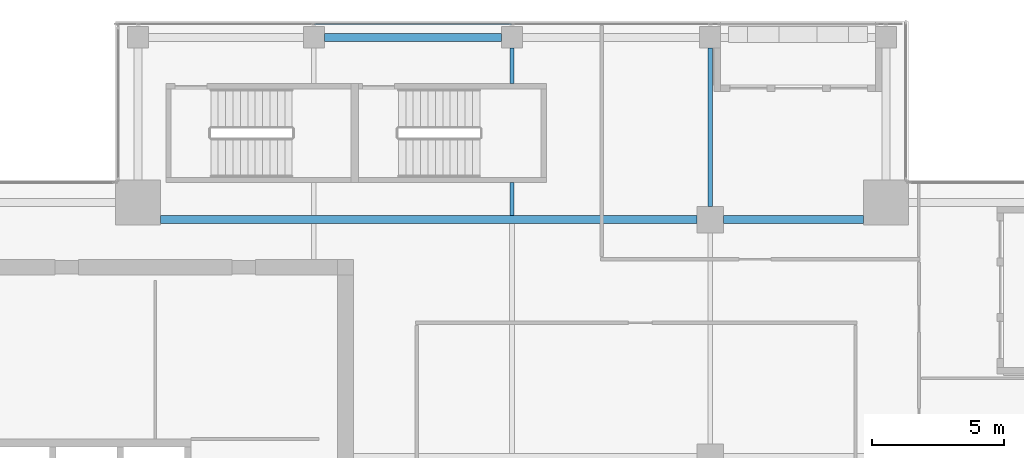
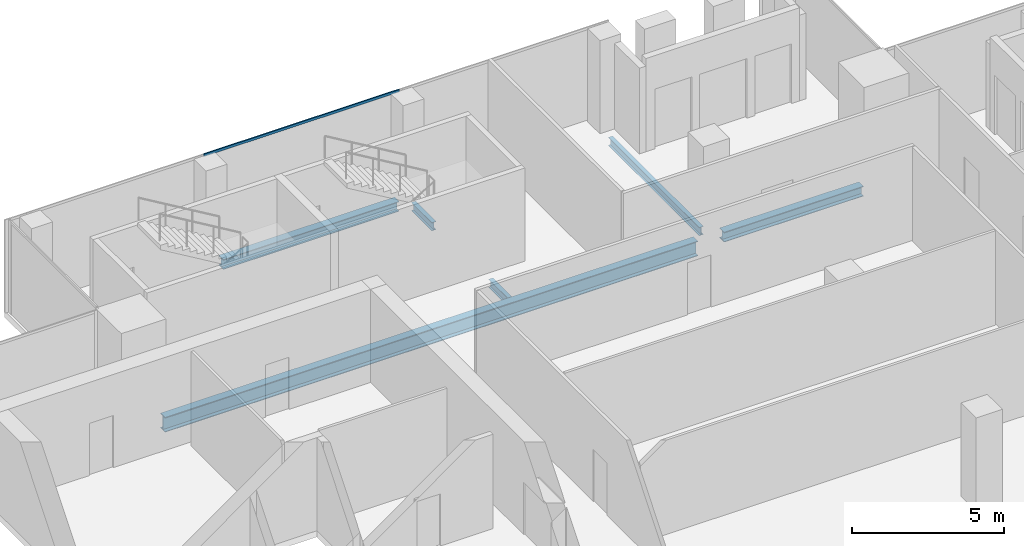
# One storey, part 16 of 29: 6 beams, 1 member, 1 element without a shape of its own.
"""IFC4 building model written with IfcOpenShell, lengths in metres."""

from ifc_helpers import new_model, si_unit, direction, frame, origin, origin_2d, place, context, subcontext, project, spatial, hollow_rectangle, i_section, extrude, source, transform, mapped, material, material_profile, profile_set, type_object, element, aggregate, save


model = new_model("IFC4")

# Units and contexts
model_context = context("Model", 3, precision=1e-05, world=origin(), true_north=direction((0.0, 1.0)))
body_context = subcontext(model_context, "Body", "Model", "MODEL_VIEW")
ifc_project = project(units=[si_unit("LENGTHUNIT", "METRE"), si_unit("AREAUNIT", "SQUARE_METRE"), si_unit("VOLUMEUNIT", "CUBIC_METRE"), si_unit("PLANEANGLEUNIT", "RADIAN"), si_unit("MASSUNIT", "GRAM", prefix="KILO")], contexts=[model_context])

# Site, building, storey
site_placement = place(None, origin())
site = spatial("IfcSite", under=ifc_project, at=site_placement, CompositionType="ELEMENT")
building_placement = place(site_placement, origin())
building = spatial("IfcBuilding", under=site, at=building_placement, Name="Khomas Fold Tower", CompositionType="ELEMENT")
storey_placement = place(building_placement, frame((0.0, 0.0, 310.199951171875)))
storey = spatial("IfcBuildingStorey", under=building, at=storey_placement, Name="L70", CompositionType="ELEMENT", Elevation=310.199951171875)

# Beams
ifc_material_1 = material(Name="Steel S355", Category="steel")
ifc_material_profile_1 = material_profile(ifc_material_1, i_section(OverallWidth=0.159912109375, OverallDepth=0.330078125, WebThickness=0.007568359375, FlangeThickness=0.011474609375, at=origin_2d()), Name="IPE 330")
ifc_profile_set_1 = profile_set([ifc_material_profile_1], Name="Steel S355")
beam_type_1 = type_object("IfcBeamType", Name="IPE 330 beam JB1", PredefinedType="BEAM", material=ifc_profile_set_1)
shared_shape_1 = source(origin(), body_context, "Body", "SweptSolid", [
    extrude(i_section(OverallWidth=0.159912109375, OverallDepth=0.330078125, WebThickness=0.007568359375, FlangeThickness=0.011474609375, at=origin_2d()), origin(), (0.0, 0.0, 1.0), 1.25),
])
beam_1_placement = place(storey_placement, frame((27.0, 40.64990234375, -0.4150390625), z_axis=(0.0, 1.0, 0.0), x_axis=(-1.0, 0.0, 0.0)))
element("IfcBeam", 1, at=beam_1_placement, inside=storey, type_object=beam_type_1, Name="JB1", PredefinedType="BEAM", context=body_context, shape_type="MappedRepresentation", body=[
    mapped(shared_shape_1, transform((0.0, 0.0, 0.0))),
])
shared_shape_2 = source(origin(), body_context, "Body", "SweptSolid", [
    extrude(i_section(OverallWidth=0.159912109375, OverallDepth=0.330078125, WebThickness=0.007568359375, FlangeThickness=0.011474609375, at=origin_2d()), origin(), (0.0, 0.0, 1.0), 1.35009765625),
])
beam_2_placement = place(storey_placement, frame((27.0, 45.64990234375, -0.4150390625), z_axis=(0.0, 1.0, 0.0), x_axis=(-1.0, 0.0, 0.0)))
element("IfcBeam", 2, at=beam_2_placement, inside=storey, type_object=beam_type_1, Name="JB1", PredefinedType="BEAM", context=body_context, shape_type="MappedRepresentation", body=[
    mapped(shared_shape_2, transform((0.0, 0.0, 0.0))),
])
ifc_material_2 = material(Name="Steel S355", Category="steel")
ifc_material_profile_2 = material_profile(ifc_material_2, i_section(OverallWidth=0.300048828125, OverallDepth=0.39990234375, WebThickness=0.013427734375, FlangeThickness=0.02392578125, at=origin_2d()), Name="HE 400 B")
ifc_profile_set_2 = profile_set([ifc_material_profile_2], Name="Steel S355")
beam_type_2 = type_object("IfcBeamType", Name="HE 400 B spandrel SB5", PredefinedType="SPANDREL", material=ifc_profile_set_2)
shared_shape_3 = source(origin(), body_context, "Body", "SweptSolid", [
    extrude(i_section(OverallWidth=0.300048828125, OverallDepth=0.39990234375, WebThickness=0.013427734375, FlangeThickness=0.02392578125, at=origin_2d()), origin(), (0.0, 0.0, 1.0), 6.7001953125),
])
beam_3_placement = place(storey_placement, frame((19.89990234375, 47.39990234375, -0.449951171875), z_axis=(1.0, 0.0, 0.0), x_axis=(0.0, 1.0, 0.0)))
element("IfcBeam", 3, at=beam_3_placement, inside=storey, type_object=beam_type_2, Name="SB5", PredefinedType="SPANDREL", context=body_context, shape_type="MappedRepresentation", body=[
    mapped(shared_shape_3, transform((0.0, 0.0, 0.0))),
])
ifc_material_3 = material(Name="Steel S355", Category="steel")
ifc_material_profile_3 = material_profile(ifc_material_3, i_section(OverallWidth=0.300048828125, OverallDepth=0.60009765625, WebThickness=0.015380859375, FlangeThickness=0.030029296875, at=origin_2d()), Name="HE 600 B")
ifc_profile_set_3 = profile_set([ifc_material_profile_3], Name="Steel S355")
beam_type_3 = type_object("IfcBeamType", Name="HE 600 B beam GB5", PredefinedType="BEAM", material=ifc_profile_set_3)
shared_shape_4 = source(origin(), body_context, "Body", "SweptSolid", [
    extrude(i_section(OverallWidth=0.300048828125, OverallDepth=0.60009765625, WebThickness=0.015380859375, FlangeThickness=0.030029296875, at=origin_2d()), origin(), (0.0, 0.0, 1.0), 20.300048828125),
])
beam_4_placement = place(storey_placement, frame((13.699951171875, 40.5, -0.550048828125), z_axis=(1.0, 0.0, 0.0), x_axis=(0.0, 1.0, 0.0)))
element("IfcBeam", 4, at=beam_4_placement, inside=storey, type_object=beam_type_3, Name="GB5", PredefinedType="BEAM", context=body_context, shape_type="MappedRepresentation", body=[
    mapped(shared_shape_4, transform((0.0, 0.0, 0.0))),
])
ifc_material_4 = material(Name="Steel S355", Category="steel")
ifc_material_profile_4 = material_profile(ifc_material_4, i_section(OverallWidth=0.300048828125, OverallDepth=0.39990234375, WebThickness=0.013427734375, FlangeThickness=0.02392578125, at=origin_2d()), Name="HE 400 B")
ifc_profile_set_4 = profile_set([ifc_material_profile_4], Name="Steel S355")
beam_type_4 = type_object("IfcBeamType", Name="HE 400 B beam GB1", PredefinedType="BEAM", material=ifc_profile_set_4)
shared_shape_5 = source(origin(), body_context, "Body", "SweptSolid", [
    extrude(i_section(OverallWidth=0.300048828125, OverallDepth=0.39990234375, WebThickness=0.013427734375, FlangeThickness=0.02392578125, at=origin_2d()), origin(), (0.0, 0.0, 1.0), 5.300048828125),
])
beam_5_placement = place(storey_placement, frame((35.0, 40.5, -0.449951171875), z_axis=(1.0, 0.0, 0.0), x_axis=(0.0, 1.0, 0.0)))
element("IfcBeam", 5, at=beam_5_placement, inside=storey, type_object=beam_type_4, Name="GB1", PredefinedType="BEAM", context=body_context, shape_type="MappedRepresentation", body=[
    mapped(shared_shape_5, transform((0.0, 0.0, 0.0))),
])
shared_shape_6 = source(origin(), body_context, "Body", "SweptSolid", [
    extrude(i_section(OverallWidth=0.159912109375, OverallDepth=0.330078125, WebThickness=0.007568359375, FlangeThickness=0.011474609375, at=origin_2d()), origin(), (0.0, 0.0, 1.0), 6.0),
])
beam_6_placement = place(storey_placement, frame((34.5, 41.0, -0.4150390625), z_axis=(0.0, 1.0, 0.0), x_axis=(-1.0, 0.0, 0.0)))
element("IfcBeam", 6, at=beam_6_placement, inside=storey, type_object=beam_type_1, Name="JB1", PredefinedType="BEAM", context=body_context, shape_type="MappedRepresentation", body=[
    mapped(shared_shape_6, transform((0.0, 0.0, 0.0))),
])

# Curtain wall, member
ifc_material_5 = material(Name="Aluminium framed double glazing", Category="aluminium")
curtain_wall_type = type_object("IfcCurtainWallType", Name="SK-Unitised clear-glass wall, upper floors CW3", PredefinedType="NOTDEFINED", material=ifc_material_5)
curtain_wall_placement = place(storey_placement, origin())
curtain_wall = element("IfcCurtainWall", 7, at=curtain_wall_placement, inside=storey, type_object=curtain_wall_type, Name="CW3 run L70 06-1", PredefinedType="NOTDEFINED")
ifc_material_6 = material(Name="Aluminium", Category="aluminium")
ifc_material_profile_5 = material_profile(ifc_material_6, hollow_rectangle(XDim=0.050048828125, YDim=0.10009765625, WallThickness=0.00390625, at=origin_2d()), Name="SK-Unitised clear-glass wall, upper floors transom CW3-T")
ifc_profile_set_5 = profile_set([ifc_material_profile_5], Name="Aluminium")
member_type = type_object("IfcMemberType", Name="SK-Unitised clear-glass wall, upper floors transom CW3-T", PredefinedType="USERDEFINED", material=ifc_profile_set_5)
shared_shape_7 = source(origin(), body_context, "Body", "SweptSolid", [
    extrude(hollow_rectangle(XDim=0.050048828125, YDim=0.10009765625, WallThickness=0.00390625, at=origin_2d()), origin(), (0.0, 0.0, 1.0), 7.4501953125),
])
member_placement = place(storey_placement, frame((26.97509765625, 47.89990234375, 3.699951171875), z_axis=(-1.0, 0.0, 0.0), x_axis=(0.0, -1.0, 0.0)))
member = element("IfcMember", 8, at=member_placement, type_object=member_type, Name="CW3 transom 3", ObjectType="TRANSOM", PredefinedType="USERDEFINED", context=body_context, shape_type="MappedRepresentation", body=[
    mapped(shared_shape_7, transform((0.0, 0.0, 0.0))),
])
aggregate(curtain_wall, [member])

save(model, "model.ifc")
